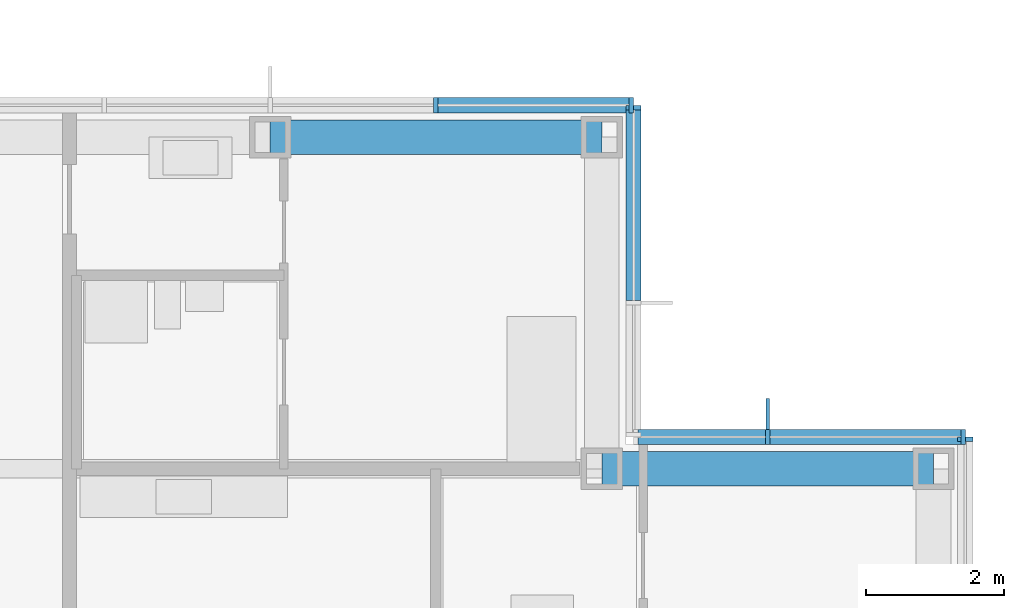
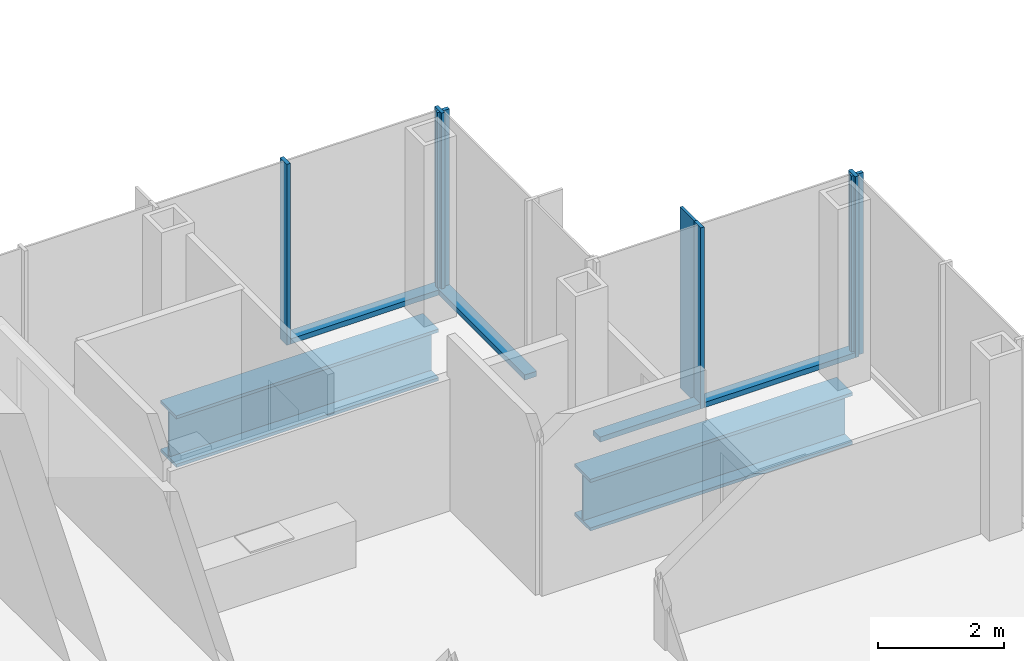
# One storey, part 9 of 20: 11 members, 2 beams, 4 elements without a shape of their own.
"""IFC4 building model written with IfcOpenShell, lengths in metres."""

from ifc_helpers import new_model, si_unit, direction, frame, origin, origin_2d, place, context, subcontext, project, spatial, rectangle, i_section, extrude, material, material_profile, profile_set, type_object, element, aggregate, save


model = new_model("IFC4")

# Units and contexts
model_context = context("Model", 3, precision=1e-05, world=origin(), true_north=direction((0.0, 1.0)))
body_context = subcontext(model_context, "Body", "Model", "MODEL_VIEW")
ifc_project = project(units=[si_unit("LENGTHUNIT", "METRE"), si_unit("AREAUNIT", "SQUARE_METRE"), si_unit("VOLUMEUNIT", "CUBIC_METRE"), si_unit("PLANEANGLEUNIT", "RADIAN"), si_unit("MASSUNIT", "GRAM", prefix="KILO")], contexts=[model_context])

# Site, building, storey
site_placement = place(None, origin())
site = spatial("IfcSite", under=ifc_project, at=site_placement, CompositionType="ELEMENT")
building_placement = place(site_placement, origin())
building = spatial("IfcBuilding", under=site, at=building_placement, Name="Kvirike Care Tower", CompositionType="ELEMENT")
storey_placement = place(building_placement, frame((0.0, 0.0, 115.5)))
storey = spatial("IfcBuildingStorey", under=building, at=storey_placement, Name="L31", CompositionType="ELEMENT", Elevation=115.5)

# Curtain wall, member
ifc_material_1 = material(Name="Anodised aluminium stick system", Category="aluminium")
curtain_wall_type = type_object("IfcCurtainWallType", Name="CW-B STICK CURTAIN WALL", PredefinedType="NOTDEFINED", material=ifc_material_1)
curtain_wall_1_placement = place(storey_placement, origin())
curtain_wall_1 = element("IfcCurtainWall", 1, at=curtain_wall_1_placement, inside=storey, type_object=curtain_wall_type, Name="Curtain wall L31 face 2", PredefinedType="NOTDEFINED")
ifc_material_2 = material(Name="Bronze anodised aluminium fin", Category="aluminium")
ifc_material_profile_1 = material_profile(ifc_material_2, rectangle(XDim=0.050048828125, YDim=0.449951171875, at=origin_2d()), Name="BRONZE FIN 450")
ifc_profile_set_1 = profile_set([ifc_material_profile_1], Name="Bronze anodised aluminium fin")
member_type_1 = type_object("IfcMemberType", Name="BRONZE FIN 450", PredefinedType="USERDEFINED", material=ifc_profile_set_1)
member_1_placement = place(storey_placement, frame((40.800048828125, 39.195068359375, 0.0), z_axis=(0.0, 0.0, 1.0), x_axis=(-1.0, 0.0, 0.0)))
member_1 = element("IfcMember", 2, at=member_1_placement, type_object=member_type_1, Name="Bronze fin L31 face 2.2", ObjectType="FIN", PredefinedType="USERDEFINED", context=body_context, shape_type="SweptSolid", body=[
    extrude(rectangle(XDim=0.050048828125, YDim=0.449951171875, at=origin_2d()), origin(), (0.0, 0.0, 1.0), 3.5),
])

curtain_wall_2_placement = place(storey_placement, origin())
curtain_wall_2 = element("IfcCurtainWall", 3, at=curtain_wall_2_placement, inside=storey, type_object=curtain_wall_type, Name="Curtain wall L31 face 1", PredefinedType="NOTDEFINED")
ifc_material_3 = material(Name="Bronze anodised aluminium mullion", Category="aluminium")
ifc_material_profile_2 = material_profile(ifc_material_3, rectangle(XDim=0.06494140625, YDim=0.219970703125, at=origin_2d()), Name="CW-B MULLION 65x220")
ifc_profile_set_2 = profile_set([ifc_material_profile_2], Name="Bronze anodised aluminium mullion")
member_type_2 = type_object("IfcMemberType", Name="CW-B MULLION 65x220", PredefinedType="MULLION", material=ifc_profile_set_2)
member_2_placement = place(storey_placement, frame((43.659912109375, 38.827392578125, 0.0), z_axis=(0.0, 0.0, 1.0), x_axis=(0.0, 1.0, 0.0)))
member_2 = element("IfcMember", 4, at=member_2_placement, type_object=member_type_2, Name="CW-B mullion L31 face 1.9", PredefinedType="MULLION", context=body_context, shape_type="SweptSolid", body=[
    extrude(rectangle(XDim=0.06494140625, YDim=0.219970703125, at=origin_2d()), origin(), (0.0, 0.0, 1.0), 3.5),
])
aggregate(curtain_wall_2, [member_2])

# Member
member_3_placement = place(storey_placement, frame((43.62744140625, 38.860107421875, 0.0), z_axis=(0.0, 0.0, 1.0), x_axis=(-1.0, 0.0, 0.0)))
member_3 = element("IfcMember", 5, at=member_3_placement, type_object=member_type_2, Name="CW-B mullion L31 face 2.1", PredefinedType="MULLION", context=body_context, shape_type="SweptSolid", body=[
    extrude(rectangle(XDim=0.06494140625, YDim=0.219970703125, at=origin_2d()), origin(), (0.0, 0.0, 1.0), 3.5),
])

member_4_placement = place(storey_placement, frame((40.800048828125, 38.860107421875, 0.0), z_axis=(0.0, 0.0, 1.0), x_axis=(-1.0, 0.0, 0.0)))
member_4 = element("IfcMember", 6, at=member_4_placement, type_object=member_type_2, Name="CW-B mullion L31 face 2.2", PredefinedType="MULLION", context=body_context, shape_type="SweptSolid", body=[
    extrude(rectangle(XDim=0.06494140625, YDim=0.219970703125, at=origin_2d()), origin(), (0.0, 0.0, 1.0), 3.5),
])

# Curtain wall, member
curtain_wall_3_placement = place(storey_placement, origin())
curtain_wall_3 = element("IfcCurtainWall", 7, at=curtain_wall_3_placement, inside=storey, type_object=curtain_wall_type, Name="Curtain wall L31 face 3", PredefinedType="NOTDEFINED")
member_5_placement = place(storey_placement, frame((38.860107421875, 43.62744140625, 0.0), z_axis=(0.0, 0.0, 1.0), x_axis=(0.0, 1.0, 0.0)))
member_5 = element("IfcMember", 8, at=member_5_placement, type_object=member_type_2, Name="CW-B mullion L31 face 3.3", PredefinedType="MULLION", context=body_context, shape_type="SweptSolid", body=[
    extrude(rectangle(XDim=0.06494140625, YDim=0.219970703125, at=origin_2d()), origin(), (0.0, 0.0, 1.0), 3.5),
])

# Curtain wall, members
curtain_wall_4_placement = place(storey_placement, origin())
curtain_wall_4 = element("IfcCurtainWall", 9, at=curtain_wall_4_placement, inside=storey, type_object=curtain_wall_type, Name="Curtain wall L31 face 4", PredefinedType="NOTDEFINED")
member_6_placement = place(storey_placement, frame((38.827392578125, 43.659912109375, 0.0), z_axis=(0.0, 0.0, 1.0), x_axis=(-1.0, 0.0, 0.0)))
member_6 = element("IfcMember", 10, at=member_6_placement, type_object=member_type_2, Name="CW-B mullion L31 face 4.1", PredefinedType="MULLION", context=body_context, shape_type="SweptSolid", body=[
    extrude(rectangle(XDim=0.06494140625, YDim=0.219970703125, at=origin_2d()), origin(), (0.0, 0.0, 1.0), 3.5),
])
member_7_placement = place(storey_placement, frame((36.0, 43.659912109375, 0.0), z_axis=(0.0, 0.0, 1.0), x_axis=(-1.0, 0.0, 0.0)))
member_7 = element("IfcMember", 11, at=member_7_placement, type_object=member_type_2, Name="CW-B mullion L31 face 4.2", PredefinedType="MULLION", context=body_context, shape_type="SweptSolid", body=[
    extrude(rectangle(XDim=0.06494140625, YDim=0.219970703125, at=origin_2d()), origin(), (0.0, 0.0, 1.0), 3.5),
])

# Member
ifc_material_4 = material(Name="Bronze anodised aluminium transom", Category="aluminium")
ifc_material_profile_3 = material_profile(ifc_material_4, rectangle(XDim=0.219970703125, YDim=0.10009765625, at=origin_2d()), Name="CW-B TRANSOM 220x100")
ifc_profile_set_3 = profile_set([ifc_material_profile_3], Name="Bronze anodised aluminium transom")
member_type_3 = type_object("IfcMemberType", Name="CW-B TRANSOM 220x100", PredefinedType="USERDEFINED", material=ifc_profile_set_3)
member_8_placement = place(storey_placement, frame((43.594970703125, 38.860107421875, 0.050048828125), z_axis=(-1.0, 0.0, 0.0), x_axis=(0.0, -1.0, 0.0)))
member_8 = element("IfcMember", 12, at=member_8_placement, type_object=member_type_3, Name="CW-B sill transom L31 face 2.1", ObjectType="TRANSOM", PredefinedType="USERDEFINED", context=body_context, shape_type="SweptSolid", body=[
    extrude(rectangle(XDim=0.219970703125, YDim=0.10009765625, at=origin_2d()), origin(), (0.0, 0.0, 1.0), 2.762451171875),
])

member_9_placement = place(storey_placement, frame((40.767578125, 38.860107421875, 0.050048828125), z_axis=(-1.0, 0.0, 0.0), x_axis=(0.0, -1.0, 0.0)))
member_9 = element("IfcMember", 13, at=member_9_placement, type_object=member_type_3, Name="CW-B sill transom L31 face 2.2", ObjectType="TRANSOM", PredefinedType="USERDEFINED", context=body_context, shape_type="SweptSolid", body=[
    extrude(rectangle(XDim=0.219970703125, YDim=0.10009765625, at=origin_2d()), origin(), (0.0, 0.0, 1.0), 1.842529296875),
])

aggregate(curtain_wall_1, [member_3, member_4, member_1, member_8, member_9])

member_10_placement = place(storey_placement, frame((38.860107421875, 40.83251953125, 0.050048828125), z_axis=(0.0, 1.0, 0.0), x_axis=(-1.0, 0.0, 0.0)))
member_10 = element("IfcMember", 14, at=member_10_placement, type_object=member_type_3, Name="CW-B sill transom L31 face 3.2", ObjectType="TRANSOM", PredefinedType="USERDEFINED", context=body_context, shape_type="SweptSolid", body=[
    extrude(rectangle(XDim=0.219970703125, YDim=0.10009765625, at=origin_2d()), origin(), (0.0, 0.0, 1.0), 2.762451171875),
])

aggregate(curtain_wall_3, [member_5, member_10])

member_11_placement = place(storey_placement, frame((38.794921875, 43.659912109375, 0.050048828125), z_axis=(-1.0, 0.0, 0.0), x_axis=(0.0, -1.0, 0.0)))
member_11 = element("IfcMember", 15, at=member_11_placement, type_object=member_type_3, Name="CW-B sill transom L31 face 4.1", ObjectType="TRANSOM", PredefinedType="USERDEFINED", context=body_context, shape_type="SweptSolid", body=[
    extrude(rectangle(XDim=0.219970703125, YDim=0.10009765625, at=origin_2d()), origin(), (0.0, 0.0, 1.0), 2.762451171875),
])

aggregate(curtain_wall_4, [member_6, member_7, member_11])

# Beams
ifc_material_5 = material(Name="Steel S355", Category="steel")
ifc_material_profile_4 = material_profile(ifc_material_5, i_section(OverallWidth=0.5, OverallDepth=1.0, WebThickness=0.030029296875, FlangeThickness=0.06005859375, at=origin_2d()), Name="PG 1000x500x30x60")
ifc_profile_set_4 = profile_set([ifc_material_profile_4], Name="Steel S355")
beam_type = type_object("IfcBeamType", Name="SPANDREL PG 1000x500x30x60", PredefinedType="SPANDREL", material=ifc_profile_set_4)
beam_1_placement = place(storey_placement, frame((38.39990234375, 38.39990234375, -0.669921875), z_axis=(1.0, 0.0, 0.0), x_axis=(0.0, 1.0, 0.0)))
element("IfcBeam", 16, at=beam_1_placement, inside=storey, type_object=beam_type, Name="Spandrel J11-J12 L31", PredefinedType="SPANDREL", context=body_context, shape_type="SweptSolid", body=[
    extrude(i_section(OverallWidth=0.5, OverallDepth=1.0, WebThickness=0.030029296875, FlangeThickness=0.06005859375, at=origin_2d()), origin(), (0.0, 0.0, 1.0), 4.800048828125),
])
beam_2_placement = place(storey_placement, frame((33.60009765625, 43.199951171875, -0.669921875), z_axis=(1.0, 0.0, 0.0), x_axis=(0.0, 1.0, 0.0)))
element("IfcBeam", 17, at=beam_2_placement, inside=storey, type_object=beam_type, Name="Spandrel K10-K11 L31", PredefinedType="SPANDREL", context=body_context, shape_type="SweptSolid", body=[
    extrude(i_section(OverallWidth=0.5, OverallDepth=1.0, WebThickness=0.030029296875, FlangeThickness=0.06005859375, at=origin_2d()), origin(), (0.0, 0.0, 1.0), 4.7998046875),
])

save(model, "model.ifc")
